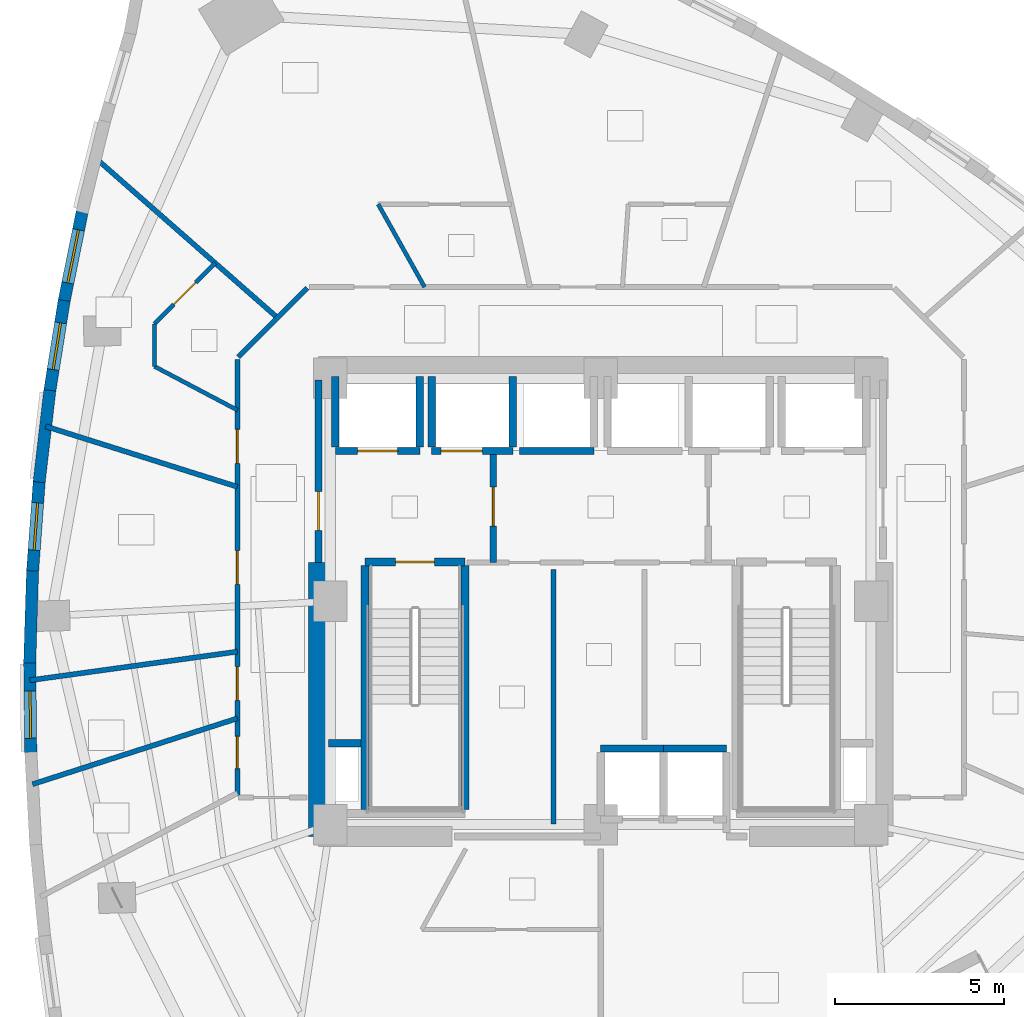
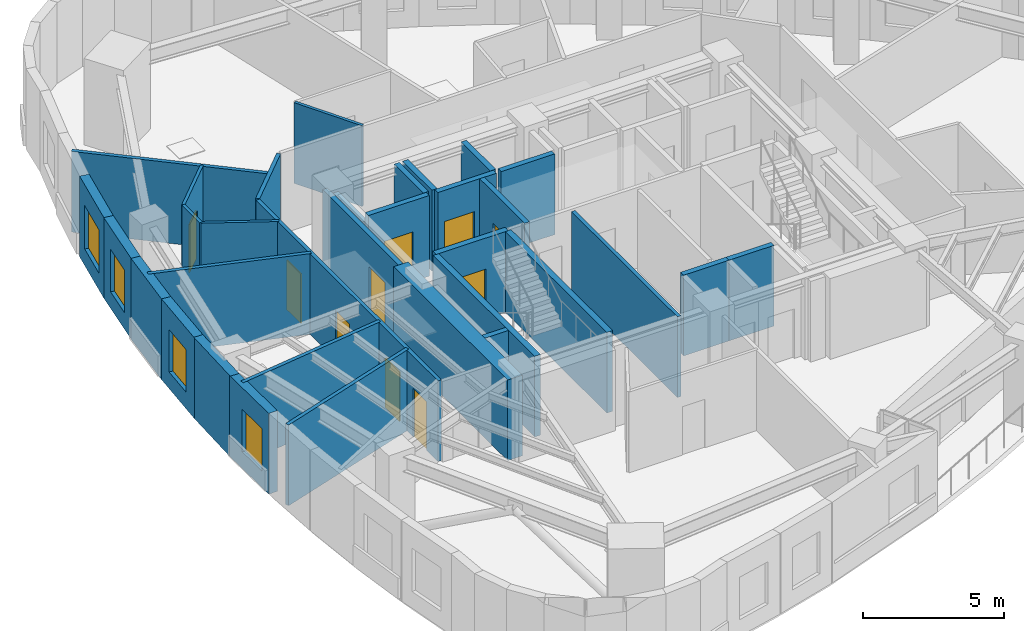
# One storey, part 6 of 12: 33 walls, 10 doors, 4 windows, 14 openings.
"""IFC4 building model written with IfcOpenShell, lengths in metres."""

from ifc_helpers import new_model, si_unit, direction, frame, frame_2d, origin, place, context, subcontext, project, spatial, rectangle, extrude, material, layer, layer_set, type_object, element, fill, save


model = new_model("IFC4")

# Units and contexts
model_context = context("Model", 3, precision=1e-05, world=origin(), true_north=direction((0.0, 1.0)))
body_context = subcontext(model_context, "Body", "Model", "MODEL_VIEW")
ifc_project = project(units=[si_unit("LENGTHUNIT", "METRE"), si_unit("AREAUNIT", "SQUARE_METRE"), si_unit("VOLUMEUNIT", "CUBIC_METRE"), si_unit("PLANEANGLEUNIT", "RADIAN"), si_unit("MASSUNIT", "GRAM", prefix="KILO")], contexts=[model_context])

# Site, building, storey
site_placement = place(None, origin())
site = spatial("IfcSite", under=ifc_project, at=site_placement, CompositionType="ELEMENT")
building_placement = place(site_placement, origin())
building = spatial("IfcBuilding", under=site, at=building_placement, Name="Ndelora Gate Hotel", CompositionType="ELEMENT")
storey_placement = place(building_placement, frame((0.0, 0.0, 112.25)))
storey = spatial("IfcBuildingStorey", under=building, at=storey_placement, Name="L27", CompositionType="ELEMENT", Elevation=112.25)

# Wall, opening, window
ifc_material_1 = material(Name="Clay Brick Masonry", Category="masonry")
ifc_layer_1 = layer(ifc_material_1, 0.360107421875)
ifc_layer_set_1 = layer_set([ifc_layer_1], Name="Clay Brick Masonry")
wall_type_1 = type_object("IfcWallType", Name="WL-BRICK-360", PredefinedType="SOLIDWALL", material=ifc_layer_set_1)
wall_1_placement = place(storey_placement, frame((-15.879638671875, 8.855224609375, 0.0), z_axis=(0.0, 0.0, 1.0), x_axis=(0.198770408376, 0.980046082975, 0.0)))
wall_1 = element("IfcWall", 1, at=wall_1_placement, inside=storey, type_object=wall_type_1, Name="L27 Tower Brick Pier-and-Spandrel Wall TWR-11", PredefinedType="SOLIDWALL", context=body_context, shape_type="SweptSolid", body=[
    extrude(rectangle(XDim=2.758544921875, YDim=0.360107421875, at=frame_2d((1.37939453125, 0.0))), origin(), (0.0, 0.0, 1.0), 3.5),
])
opening_1_placement = place(wall_1_placement, frame((0.579345703125, 0.0, 0.719970703125)))
opening_1 = element("IfcOpeningElement", 2, at=opening_1_placement, cuts=wall_1, Name="Opening W01", PredefinedType="OPENING", context=body_context, shape_type="SweptSolid", body=[
    extrude(rectangle(XDim=1.60009765625, YDim=1.8798828125, at=frame_2d((0.800048828125, 0.93994140625))), frame((0.0, 0.18994140625, 0.0), z_axis=(0.0, -1.0, 0.0), x_axis=(1.0, 0.0, 0.0)), (0.0, 0.0, 1.0), 0.380126953125),
])
ifc_material_2 = material(Name="Insulated Low-E Double Glazing in Bronze Aluminium Frame", Category="aluminium")
window_type_1 = type_object("IfcWindowType", Name="WN-DEEP-1600", PartitioningType="SINGLE_PANEL", PredefinedType="WINDOW", material=ifc_material_2)
window_1_placement = place(opening_1_placement, origin())
window_1 = element("IfcWindow", 3, at=window_1_placement, inside=storey, type_object=window_type_1, Name="L27 Deep-Set Brick-Pier Window W01", OverallHeight=1.8798828125, OverallWidth=1.60009765625, PartitioningType="SINGLE_PANEL", PredefinedType="WINDOW", context=body_context, shape_type="SweptSolid", body=[
    extrude(rectangle(XDim=1.60009765625, YDim=1.8798828125, at=frame_2d((0.800048828125, 0.93994140625))), frame((0.0, 0.030029296875, 0.0), z_axis=(0.0, -1.0, 0.0), x_axis=(1.0, 0.0, 0.0)), (0.0, 0.0, 1.0), 0.06005859375),
])
fill(opening_1, window_1)

wall_2_placement = place(storey_placement, frame((-16.302978515625, 6.19482421875, 0.0), z_axis=(0.0, 0.0, 1.0), x_axis=(0.157483842532, 0.987521563988, 0.0)))
wall_2 = element("IfcWall", 4, at=wall_2_placement, inside=storey, type_object=wall_type_1, Name="L27 Tower Brick Pier-and-Spandrel Wall TWR-12", PredefinedType="SOLIDWALL", context=body_context, shape_type="SweptSolid", body=[
    extrude(rectangle(XDim=2.743896484375, YDim=0.360107421875, at=frame_2d((1.3720703125, 0.0))), origin(), (0.0, 0.0, 1.0), 3.5),
])
opening_2_placement = place(wall_2_placement, frame((0.672119140625, 0.0, 0.719970703125)))
opening_2 = element("IfcOpeningElement", 5, at=opening_2_placement, cuts=wall_2, Name="Opening W02", PredefinedType="OPENING", context=body_context, shape_type="SweptSolid", body=[
    extrude(rectangle(XDim=1.39990234375, YDim=1.840087890625, at=frame_2d((0.699951171875, 0.919921875))), frame((0.0, 0.18994140625, 0.0), z_axis=(0.0, -1.0, 0.0), x_axis=(1.0, 0.0, 0.0)), (0.0, 0.0, 1.0), 0.380126953125),
])
window_type_2 = type_object("IfcWindowType", Name="WN-DEEP-1400", PartitioningType="SINGLE_PANEL", PredefinedType="WINDOW", material=ifc_material_2)
window_2_placement = place(opening_2_placement, origin())
window_2 = element("IfcWindow", 6, at=window_2_placement, inside=storey, type_object=window_type_2, Name="L27 Deep-Set Brick-Pier Window W02", OverallHeight=1.840087890625, OverallWidth=1.39990234375, PartitioningType="SINGLE_PANEL", PredefinedType="WINDOW", context=body_context, shape_type="SweptSolid", body=[
    extrude(rectangle(XDim=1.39990234375, YDim=1.840087890625, at=frame_2d((0.699951171875, 0.919921875))), frame((0.0, 0.030029296875, 0.0), z_axis=(0.0, -1.0, 0.0), x_axis=(1.0, 0.0, 0.0)), (0.0, 0.0, 1.0), 0.06005859375),
])
fill(opening_2, window_2)

# Wall
wall_3_placement = place(storey_placement, frame((-16.61279296875, 3.5283203125, 0.0), z_axis=(0.0, 0.0, 1.0), x_axis=(0.115711868465, 0.993282821505, 0.0)))
element("IfcWall", 7, at=wall_3_placement, inside=storey, type_object=wall_type_1, Name="L27 Tower Brick Pier-and-Spandrel Wall TWR-13", PredefinedType="SOLIDWALL", context=body_context, shape_type="SweptSolid", body=[
    extrude(rectangle(XDim=2.734375, YDim=0.360107421875, at=frame_2d((1.3671875, 0.0))), origin(), (0.0, 0.0, 1.0), 3.5),
])

# Wall, opening, window
wall_4_placement = place(storey_placement, frame((-16.808837890625, 0.85595703125, 0.0), z_axis=(0.0, 0.0, 1.0), x_axis=(0.07352900805, 0.997293078776, 0.0)))
wall_4 = element("IfcWall", 8, at=wall_4_placement, inside=storey, type_object=wall_type_1, Name="L27 Tower Brick Pier-and-Spandrel Wall TWR-14", PredefinedType="SOLIDWALL", context=body_context, shape_type="SweptSolid", body=[
    extrude(rectangle(XDim=2.729248046875, YDim=0.360107421875, at=frame_2d((1.36474609375, 0.0))), origin(), (0.0, 0.0, 1.0), 3.5),
])
opening_3_placement = place(wall_4_placement, frame((0.664794921875, 0.0, 0.719970703125)))
opening_3 = element("IfcOpeningElement", 9, at=opening_3_placement, cuts=wall_4, Name="Opening W02", PredefinedType="OPENING", context=body_context, shape_type="SweptSolid", body=[
    extrude(rectangle(XDim=1.39990234375, YDim=1.840087890625, at=frame_2d((0.699951171875, 0.919921875))), frame((0.0, 0.18994140625, 0.0), z_axis=(0.0, -1.0, 0.0), x_axis=(1.0, 0.0, 0.0)), (0.0, 0.0, 1.0), 0.380126953125),
])
window_3_placement = place(opening_3_placement, origin())
window_3 = element("IfcWindow", 10, at=window_3_placement, inside=storey, type_object=window_type_2, Name="L27 Deep-Set Brick-Pier Window W02", OverallHeight=1.840087890625, OverallWidth=1.39990234375, PartitioningType="SINGLE_PANEL", PredefinedType="WINDOW", context=body_context, shape_type="SweptSolid", body=[
    extrude(rectangle(XDim=1.39990234375, YDim=1.840087890625, at=frame_2d((0.699951171875, 0.919921875))), frame((0.0, 0.030029296875, 0.0), z_axis=(0.0, -1.0, 0.0), x_axis=(1.0, 0.0, 0.0)), (0.0, 0.0, 1.0), 0.06005859375),
])
fill(opening_3, window_3)

# Wall
wall_5_placement = place(storey_placement, frame((-16.89111328125, -1.822509765625, 0.0), z_axis=(0.0, 0.0, 1.0), x_axis=(0.031036495161, 0.999518251943, 0.0)))
element("IfcWall", 11, at=wall_5_placement, inside=storey, type_object=wall_type_1, Name="L27 Tower Brick Pier-and-Spandrel Wall TWR-15", PredefinedType="SOLIDWALL", context=body_context, shape_type="SweptSolid", body=[
    extrude(rectangle(XDim=2.7294921875, YDim=0.360107421875, at=frame_2d((1.36474609375, 0.0))), origin(), (0.0, 0.0, 1.0), 3.5),
])

# Wall, opening, window
wall_6_placement = place(storey_placement, frame((-16.859619140625, -4.506591796875, 0.0), z_axis=(0.0, 0.0, 1.0), x_axis=(-0.011339569117, 0.999935705019, 0.0)))
wall_6 = element("IfcWall", 12, at=wall_6_placement, inside=storey, type_object=wall_type_1, Name="L27 Tower Brick Pier-and-Spandrel Wall TWR-16", PredefinedType="SOLIDWALL", context=body_context, shape_type="SweptSolid", body=[
    extrude(rectangle(XDim=2.734375, YDim=0.360107421875, at=frame_2d((1.3671875, 0.0))), origin(), (0.0, 0.0, 1.0), 3.5),
])
opening_4_placement = place(wall_6_placement, frame((0.4599609375, 0.0, 0.719970703125)))
opening_4 = element("IfcOpeningElement", 13, at=opening_4_placement, cuts=wall_6, Name="Opening W02", PredefinedType="OPENING", context=body_context, shape_type="SweptSolid", body=[
    extrude(rectangle(XDim=1.39990234375, YDim=1.840087890625, at=frame_2d((0.699951171875, 0.919921875))), frame((0.0, 0.18994140625, 0.0), z_axis=(0.0, -1.0, 0.0), x_axis=(1.0, 0.0, 0.0)), (0.0, 0.0, 1.0), 0.380126953125),
])
window_4_placement = place(opening_4_placement, origin())
window_4 = element("IfcWindow", 14, at=window_4_placement, inside=storey, type_object=window_type_2, Name="L27 Deep-Set Brick-Pier Window W02", OverallHeight=1.840087890625, OverallWidth=1.39990234375, PartitioningType="SINGLE_PANEL", PredefinedType="WINDOW", context=body_context, shape_type="SweptSolid", body=[
    extrude(rectangle(XDim=1.39990234375, YDim=1.840087890625, at=frame_2d((0.699951171875, 0.919921875))), frame((0.0, 0.030029296875, 0.0), z_axis=(0.0, -1.0, 0.0), x_axis=(1.0, 0.0, 0.0)), (0.0, 0.0, 1.0), 0.06005859375),
])
fill(opening_4, window_4)

# Wall
ifc_material_3 = material(Name="Concrete C60/75", Category="concrete")
ifc_layer_2 = layer(ifc_material_3, 0.60009765625)
ifc_layer_set_2 = layer_set([ifc_layer_2], Name="Concrete C60/75")
wall_type_2 = type_object("IfcWallType", Name="WL-CORE-600", PredefinedType="SHEAR", material=ifc_layer_set_2)
wall_7_placement = place(storey_placement, frame((-8.35009765625, -6.949951171875, 0.0), z_axis=(0.0, 0.0, 1.0), x_axis=(0.0, 1.0, 0.0)))
element("IfcWall", 15, at=wall_7_placement, inside=storey, type_object=wall_type_2, Name="L27 Core Shear Wall W", PredefinedType="SHEAR", context=body_context, shape_type="SweptSolid", body=[
    extrude(rectangle(XDim=8.099853515625, YDim=0.60009765625, at=frame_2d((4.0498046875, 0.0))), origin(), (0.0, 0.0, 1.0), 3.5),
])

# Wall, opening, door
ifc_material_4 = material(Name="Concrete C40/50", Category="concrete")
ifc_layer_3 = layer(ifc_material_4, 0.199951171875)
ifc_layer_set_3 = layer_set([ifc_layer_3], Name="Concrete C40/50")
wall_type_3 = type_object("IfcWallType", Name="WL-FIRE-200", PredefinedType="PARTITIONING", material=ifc_layer_set_3)
wall_8_placement = place(storey_placement, frame((-3.179931640625, 1.14990234375, 0.0), z_axis=(0.0, 0.0, 1.0), x_axis=(0.0, 1.0, 0.0)))
wall_8 = element("IfcWall", 16, at=wall_8_placement, inside=storey, type_object=wall_type_3, Name="L27 Interior Wall IW-2", PredefinedType="PARTITIONING", context=body_context, shape_type="SweptSolid", body=[
    extrude(rectangle(XDim=3.300048828125, YDim=0.199951171875, at=frame_2d((1.64990234375, 0.0))), origin(), (0.0, 0.0, 1.0), 3.5),
])
opening_5_placement = place(wall_8_placement, frame((1.080078125, 0.0, 0.0)))
opening_5 = element("IfcOpeningElement", 17, at=opening_5_placement, cuts=wall_8, Name="Opening FD1", PredefinedType="OPENING", context=body_context, shape_type="SweptSolid", body=[
    extrude(rectangle(XDim=1.14990234375, YDim=2.14990234375, at=frame_2d((0.574951171875, 1.074951171875))), frame((0.0, 0.10986328125, 0.0), z_axis=(0.0, -1.0, 0.0), x_axis=(1.0, 0.0, 0.0)), (0.0, 0.0, 1.0), 0.219970703125),
])
ifc_material_5 = material(Name="Fire-Rated Timber-Veneer Steel Core", Category="steel")
door_type_1 = type_object("IfcDoorType", Name="DR-FD60", OperationType="SINGLE_SWING_LEFT", PredefinedType="DOOR", material=ifc_material_5)
door_1_placement = place(opening_5_placement, origin())
door_1 = element("IfcDoor", 18, at=door_1_placement, inside=storey, type_object=door_type_1, Name="L27 Firefighting Lobby West Door", OperationType="SINGLE_SWING_RIGHT", OverallHeight=2.14990234375, OverallWidth=1.14990234375, PredefinedType="DOOR", context=body_context, shape_type="SweptSolid", body=[
    extrude(rectangle(XDim=1.14990234375, YDim=2.14990234375, at=frame_2d((0.574951171875, 1.074951171875))), frame((0.0, 0.02490234375, 0.0), z_axis=(0.0, -1.0, 0.0), x_axis=(1.0, 0.0, 0.0)), (0.0, 0.0, 1.0), 0.050048828125),
])
fill(opening_5, door_1)

wall_9_placement = place(storey_placement, frame((-8.35009765625, 1.14990234375, 0.0), z_axis=(0.0, 0.0, 1.0), x_axis=(0.0, 1.0, 0.0)))
wall_9 = element("IfcWall", 19, at=wall_9_placement, inside=storey, type_object=wall_type_3, Name="L27 Interior Wall IW-2", PredefinedType="PARTITIONING", context=body_context, shape_type="SweptSolid", body=[
    extrude(rectangle(XDim=5.400146484375, YDim=0.199951171875, at=frame_2d((2.7001953125, 0.0))), origin(), (0.0, 0.0, 1.0), 3.5),
])
opening_6_placement = place(wall_9_placement, frame((0.949951171875, 0.0, 0.0)))
opening_6 = element("IfcOpeningElement", 20, at=opening_6_placement, cuts=wall_9, Name="Opening FD1", PredefinedType="OPENING", context=body_context, shape_type="SweptSolid", body=[
    extrude(rectangle(XDim=1.14990234375, YDim=2.14990234375, at=frame_2d((0.574951171875, 1.074951171875))), frame((0.0, 0.10986328125, 0.0), z_axis=(0.0, -1.0, 0.0), x_axis=(1.0, 0.0, 0.0)), (0.0, 0.0, 1.0), 0.219970703125),
])
door_2_placement = place(opening_6_placement, origin())
door_2 = element("IfcDoor", 21, at=door_2_placement, inside=storey, type_object=door_type_1, Name="L27 Firefighting Lobby West Corridor Door", OperationType="SINGLE_SWING_LEFT", OverallHeight=2.14990234375, OverallWidth=1.14990234375, PredefinedType="DOOR", context=body_context, shape_type="SweptSolid", body=[
    extrude(rectangle(XDim=1.14990234375, YDim=2.14990234375, at=frame_2d((0.574951171875, 1.074951171875))), frame((0.0, 0.02490234375, 0.0), z_axis=(0.0, -1.0, 0.0), x_axis=(1.0, 0.0, 0.0)), (0.0, 0.0, 1.0), 0.050048828125),
])
fill(opening_6, door_2)

# Walls
ifc_material_6 = material(Name="Fire-Rated Gypsum Stud Partition", Category="gypsum")
ifc_layer_4 = layer(ifc_material_6, 0.14990234375)
ifc_layer_set_4 = layer_set([ifc_layer_4], Name="Fire-Rated Gypsum Stud Partition")
wall_type_4 = type_object("IfcWallType", Name="WL-PART-150", PredefinedType="PARTITIONING", material=ifc_layer_set_4)
wall_10_placement = place(storey_placement, frame((-1.39990234375, -6.580078125, 0.0), z_axis=(0.0, 0.0, 1.0), x_axis=(0.0, 1.0, 0.0)))
element("IfcWall", 22, at=wall_10_placement, inside=storey, type_object=wall_type_4, Name="L27 Interior Wall IW-5", PredefinedType="PARTITIONING", context=body_context, shape_type="SweptSolid", body=[
    extrude(rectangle(XDim=7.530029296875, YDim=0.14990234375, at=frame_2d((3.76513671875, 0.0))), origin(), (0.0, 0.0, 1.0), 3.5),
])
wall_11_placement = place(storey_placement, frame((-10.7216796875, 7.228271484375, 0.0), z_axis=(0.0, 0.0, 1.0), x_axis=(0.707106781187, 0.707106781187, 0.0)))
element("IfcWall", 23, at=wall_11_placement, inside=storey, type_object=wall_type_4, Name="L27 Interior Wall IW-5", PredefinedType="PARTITIONING", context=body_context, shape_type="SweptSolid", body=[
    extrude(rectangle(XDim=2.889892578125, YDim=0.14990234375, at=frame_2d((1.44482421875, 0.0))), origin(), (0.0, 0.0, 1.0), 3.5),
])

# Wall, openings, doors
wall_12_placement = place(storey_placement, frame((-10.75, -5.760009765625, 0.0), z_axis=(0.0, 0.0, 1.0), x_axis=(0.0, 1.0, 0.0)))
wall_12 = element("IfcWall", 24, at=wall_12_placement, inside=storey, type_object=wall_type_4, Name="L27 Interior Wall IW-5", PredefinedType="PARTITIONING", context=body_context, shape_type="SweptSolid", body=[
    extrude(rectangle(XDim=12.919921875, YDim=0.14990234375, at=frame_2d((6.4599609375, 0.0))), origin(), (0.0, 0.0, 1.0), 3.5),
])
opening_7_placement = place(wall_12_placement, frame((2.834716796875, 0.0, 0.0)))
opening_7 = element("IfcOpeningElement", 25, at=opening_7_placement, cuts=wall_12, Name="Opening D01", PredefinedType="OPENING", context=body_context, shape_type="SweptSolid", body=[
    extrude(rectangle(XDim=1.0, YDim=2.14990234375, at=frame_2d((0.5, 1.074951171875))), frame((0.0, 0.0849609375, 0.0), z_axis=(0.0, -1.0, 0.0), x_axis=(1.0, 0.0, 0.0)), (0.0, 0.0, 1.0), 0.169921875),
])
opening_8_placement = place(wall_12_placement, frame((0.81591796875, 0.0, 0.0)))
opening_8 = element("IfcOpeningElement", 26, at=opening_8_placement, cuts=wall_12, Name="Opening D05", PredefinedType="OPENING", context=body_context, shape_type="SweptSolid", body=[
    extrude(rectangle(XDim=0.949951171875, YDim=2.10009765625, at=frame_2d((0.47509765625, 1.050048828125))), frame((0.0, 0.0849609375, 0.0), z_axis=(0.0, -1.0, 0.0), x_axis=(1.0, 0.0, 0.0)), (0.0, 0.0, 1.0), 0.169921875),
])
opening_9_placement = place(wall_12_placement, frame((9.8466796875, 0.0, 0.0)))
opening_9 = element("IfcOpeningElement", 27, at=opening_9_placement, cuts=wall_12, Name="Opening D01", PredefinedType="OPENING", context=body_context, shape_type="SweptSolid", body=[
    extrude(rectangle(XDim=1.0, YDim=2.14990234375, at=frame_2d((0.5, 1.074951171875))), frame((0.0, 0.0849609375, 0.0), z_axis=(0.0, -1.0, 0.0), x_axis=(1.0, 0.0, 0.0)), (0.0, 0.0, 1.0), 0.169921875),
])
opening_10_placement = place(wall_12_placement, frame((6.266845703125, 0.0, 0.0)))
opening_10 = element("IfcOpeningElement", 28, at=opening_10_placement, cuts=wall_12, Name="Opening D01", PredefinedType="OPENING", context=body_context, shape_type="SweptSolid", body=[
    extrude(rectangle(XDim=1.0, YDim=2.14990234375, at=frame_2d((0.5, 1.074951171875))), frame((0.0, 0.0849609375, 0.0), z_axis=(0.0, -1.0, 0.0), x_axis=(1.0, 0.0, 0.0)), (0.0, 0.0, 1.0), 0.169921875),
])
ifc_material_7 = material(Name="Accessible Restroom Wide-Clearance Door", Category="wood")
door_type_2 = type_object("IfcDoorType", Name="DR-ACC-950", OperationType="SINGLE_SWING_LEFT", PredefinedType="DOOR", material=ifc_material_7)
door_3_placement = place(opening_8_placement, origin())
door_3 = element("IfcDoor", 29, at=door_3_placement, inside=storey, type_object=door_type_2, Name="L27 Accessible WC Entrance Door", OperationType="SINGLE_SWING_LEFT", OverallHeight=2.10009765625, OverallWidth=0.949951171875, PredefinedType="DOOR", context=body_context, shape_type="SweptSolid", body=[
    extrude(rectangle(XDim=0.949951171875, YDim=2.10009765625, at=frame_2d((0.47509765625, 1.050048828125))), frame((0.0, 0.02490234375, 0.0), z_axis=(0.0, -1.0, 0.0), x_axis=(1.0, 0.0, 0.0)), (0.0, 0.0, 1.0), 0.050048828125),
])
fill(opening_8, door_3)
ifc_material_8 = material(Name="Acoustic Hardwood Guest Entrance Door", Category="wood")
door_type_3 = type_object("IfcDoorType", Name="DR-COR-1000", OperationType="SINGLE_SWING_LEFT", PredefinedType="DOOR", material=ifc_material_8)
door_4_placement = place(opening_7_placement, origin())
door_4 = element("IfcDoor", 30, at=door_4_placement, inside=storey, type_object=door_type_3, Name="L27 Housekeeping and Linen Room Entrance Door", OperationType="SINGLE_SWING_RIGHT", OverallHeight=2.14990234375, OverallWidth=1.0, PredefinedType="DOOR", context=body_context, shape_type="SweptSolid", body=[
    extrude(rectangle(XDim=1.0, YDim=2.14990234375, at=frame_2d((0.5, 1.074951171875))), frame((0.0, 0.02490234375, 0.0), z_axis=(0.0, -1.0, 0.0), x_axis=(1.0, 0.0, 0.0)), (0.0, 0.0, 1.0), 0.050048828125),
])
fill(opening_7, door_4)
door_5_placement = place(opening_9_placement, origin())
door_5 = element("IfcDoor", 31, at=door_5_placement, inside=storey, type_object=door_type_3, Name="L27 Club Twin Guest Room 3005 Entrance Door", OperationType="SINGLE_SWING_RIGHT", OverallHeight=2.14990234375, OverallWidth=1.0, PredefinedType="DOOR", context=body_context, shape_type="SweptSolid", body=[
    extrude(rectangle(XDim=1.0, YDim=2.14990234375, at=frame_2d((0.5, 1.074951171875))), frame((0.0, 0.02490234375, 0.0), z_axis=(0.0, -1.0, 0.0), x_axis=(1.0, 0.0, 0.0)), (0.0, 0.0, 1.0), 0.050048828125),
])
fill(opening_9, door_5)
door_6_placement = place(opening_10_placement, origin())
door_6 = element("IfcDoor", 32, at=door_6_placement, inside=storey, type_object=door_type_3, Name="L27 Club Study Office Entrance Door", OperationType="SINGLE_SWING_LEFT", OverallHeight=2.14990234375, OverallWidth=1.0, PredefinedType="DOOR", context=body_context, shape_type="SweptSolid", body=[
    extrude(rectangle(XDim=1.0, YDim=2.14990234375, at=frame_2d((0.5, 1.074951171875))), frame((0.0, 0.02490234375, 0.0), z_axis=(0.0, -1.0, 0.0), x_axis=(1.0, 0.0, 0.0)), (0.0, 0.0, 1.0), 0.050048828125),
])
fill(opening_10, door_6)

# Walls
wall_13_placement = place(storey_placement, frame((-9.5595703125, 8.390380859375, 0.0), z_axis=(0.0, 0.0, 1.0), x_axis=(-0.751546074468, 0.659680602983, 0.0)))
element("IfcWall", 33, at=wall_13_placement, inside=storey, type_object=wall_type_4, Name="L27 Interior Wall IW-5", PredefinedType="PARTITIONING", context=body_context, shape_type="SweptSolid", body=[
    extrude(rectangle(XDim=7.16748046875, YDim=0.14990234375, at=frame_2d((3.583740234375, 0.0))), origin(), (0.0, 0.0, 1.0), 3.5),
])
wall_14_placement = place(storey_placement, frame((-10.75, 3.39208984375, 0.0), z_axis=(0.0, 0.0, 1.0), x_axis=(-0.953655865199, 0.300899469545, 0.0)))
element("IfcWall", 34, at=wall_14_placement, inside=storey, type_object=wall_type_4, Name="L27 Interior Wall IW-5", PredefinedType="PARTITIONING", context=body_context, shape_type="SweptSolid", body=[
    extrude(rectangle(XDim=5.94580078125, YDim=0.14990234375, at=frame_2d((2.972900390625, 0.0))), origin(), (0.0, 0.0, 1.0), 3.5),
])
wall_15_placement = place(storey_placement, frame((-10.75, -1.484619140625, 0.0), z_axis=(0.0, 0.0, 1.0), x_axis=(-0.990603271239, -0.136766805219, 0.0)))
element("IfcWall", 35, at=wall_15_placement, inside=storey, type_object=wall_type_4, Name="L27 Interior Wall IW-5", PredefinedType="PARTITIONING", context=body_context, shape_type="SweptSolid", body=[
    extrude(rectangle(XDim=6.1923828125, YDim=0.14990234375, at=frame_2d((3.09619140625, 0.0))), origin(), (0.0, 0.0, 1.0), 3.5),
])
wall_16_placement = place(storey_placement, frame((-10.75, -3.4580078125, 0.0), z_axis=(0.0, 0.0, 1.0), x_axis=(-0.951970686229, -0.306189177732, 0.0)))
element("IfcWall", 36, at=wall_16_placement, inside=storey, type_object=wall_type_4, Name="L27 Interior Wall IW-5", PredefinedType="PARTITIONING", context=body_context, shape_type="SweptSolid", body=[
    extrude(rectangle(XDim=6.365966796875, YDim=0.14990234375, at=frame_2d((3.18310546875, 0.0))), origin(), (0.0, 0.0, 1.0), 3.5),
])
ifc_layer_5 = layer(ifc_material_4, 0.219970703125)
ifc_layer_set_5 = layer_set([ifc_layer_5], Name="Concrete C40/50")
wall_type_5 = type_object("IfcWallType", Name="WL-SHAFT-220", PredefinedType="PARTITIONING", material=ifc_layer_set_5)
wall_17_placement = place(storey_placement, frame((-8.050048828125, -4.199951171875, 0.0), z_axis=(0.0, 0.0, 1.0), x_axis=(1.0, 0.0, 0.0)))
element("IfcWall", 37, at=wall_17_placement, inside=storey, type_object=wall_type_5, Name="L27 Interior Wall IW-1", PredefinedType="PARTITIONING", context=body_context, shape_type="SweptSolid", body=[
    extrude(rectangle(XDim=0.9599609375, YDim=0.219970703125, at=frame_2d((0.47998046875, 0.0))), origin(), (0.0, 0.0, 1.0), 3.5),
])

# Wall, opening, door
wall_18_placement = place(storey_placement, frame((-7.85009765625, 4.449951171875, 0.0), z_axis=(0.0, 0.0, 1.0), x_axis=(1.0, 0.0, 0.0)))
wall_18 = element("IfcWall", 38, at=wall_18_placement, inside=storey, type_object=wall_type_5, Name="L27 Interior Wall IW-1", PredefinedType="PARTITIONING", context=body_context, shape_type="SweptSolid", body=[
    extrude(rectangle(XDim=2.5, YDim=0.219970703125, at=frame_2d((1.25, 0.0))), origin(), (0.0, 0.0, 1.0), 3.5),
])
opening_11_placement = place(wall_18_placement, frame((0.659912109375, 0.0, 0.0)))
opening_11 = element("IfcOpeningElement", 39, at=opening_11_placement, cuts=wall_18, Name="Opening LD5", PredefinedType="OPENING", context=body_context, shape_type="SweptSolid", body=[
    extrude(rectangle(XDim=1.179931640625, YDim=2.14990234375, at=frame_2d((0.58984375, 1.074951171875))), frame((0.0, 0.1201171875, 0.0), z_axis=(0.0, -1.0, 0.0), x_axis=(1.0, 0.0, 0.0)), (0.0, 0.0, 1.0), 0.239990234375),
])
ifc_material_9 = material(Name="Firefighting Lift Stainless Sliding Landing Door", Category="metal")
door_type_4 = type_object("IfcDoorType", Name="DR-LD5", OperationType="DOUBLE_DOOR_SLIDING", PredefinedType="DOOR", material=ifc_material_9)
door_7_placement = place(opening_11_placement, origin())
door_7 = element("IfcDoor", 40, at=door_7_placement, inside=storey, type_object=door_type_4, Name="L27 Lift Landing Sliding Door FFL1", OperationType="DOUBLE_DOOR_SLIDING", OverallHeight=2.14990234375, OverallWidth=1.179931640625, PredefinedType="DOOR", context=body_context, shape_type="SweptSolid", body=[
    extrude(rectangle(XDim=1.179931640625, YDim=2.14990234375, at=frame_2d((0.58984375, 1.074951171875))), frame((0.0, 0.02490234375, 0.0), z_axis=(0.0, -1.0, 0.0), x_axis=(1.0, 0.0, 0.0)), (0.0, 0.0, 1.0), 0.050048828125),
])
fill(opening_11, door_7)

# Walls
wall_19_placement = place(storey_placement, frame((-7.85009765625, 4.570068359375, 0.0), z_axis=(0.0, 0.0, 1.0), x_axis=(0.0, 1.0, 0.0)))
element("IfcWall", 41, at=wall_19_placement, inside=storey, type_object=wall_type_5, Name="L27 Interior Wall IW-1", PredefinedType="PARTITIONING", context=body_context, shape_type="SweptSolid", body=[
    extrude(rectangle(XDim=2.079833984375, YDim=0.219970703125, at=frame_2d((1.0400390625, 0.0))), origin(), (0.0, 0.0, 1.0), 3.1201171875),
])
wall_20_placement = place(storey_placement, frame((-5.35009765625, 4.570068359375, 0.0), z_axis=(0.0, 0.0, 1.0), x_axis=(0.0, 1.0, 0.0)))
element("IfcWall", 42, at=wall_20_placement, inside=storey, type_object=wall_type_5, Name="L27 Interior Wall IW-1", PredefinedType="PARTITIONING", context=body_context, shape_type="SweptSolid", body=[
    extrude(rectangle(XDim=2.079833984375, YDim=0.219970703125, at=frame_2d((1.0400390625, 0.0))), origin(), (0.0, 0.0, 1.0), 3.5),
])

# Wall, opening, door
wall_21_placement = place(storey_placement, frame((-5.0, 4.449951171875, 0.0), z_axis=(0.0, 0.0, 1.0), x_axis=(1.0, 0.0, 0.0)))
wall_21 = element("IfcWall", 43, at=wall_21_placement, inside=storey, type_object=wall_type_5, Name="L27 Interior Wall IW-1", PredefinedType="PARTITIONING", context=body_context, shape_type="SweptSolid", body=[
    extrude(rectangle(XDim=2.39990234375, YDim=0.219970703125, at=frame_2d((1.199951171875, 0.0))), origin(), (0.0, 0.0, 1.0), 3.5),
])
opening_12_placement = place(wall_21_placement, frame((0.280029296875, 0.0, 0.0)))
opening_12 = element("IfcOpeningElement", 44, at=opening_12_placement, cuts=wall_21, Name="Opening LD6", PredefinedType="OPENING", context=body_context, shape_type="SweptSolid", body=[
    extrude(rectangle(XDim=1.219970703125, YDim=2.14990234375, at=frame_2d((0.60986328125, 1.074951171875))), frame((0.0, 0.1201171875, 0.0), z_axis=(0.0, -1.0, 0.0), x_axis=(1.0, 0.0, 0.0)), (0.0, 0.0, 1.0), 0.239990234375),
])
ifc_material_10 = material(Name="Heavy-Duty Service Lift Sliding Landing Door", Category="wood")
door_type_5 = type_object("IfcDoorType", Name="DR-LD6", OperationType="DOUBLE_DOOR_SLIDING", PredefinedType="DOOR", material=ifc_material_10)
door_8_placement = place(opening_12_placement, origin())
door_8 = element("IfcDoor", 45, at=door_8_placement, inside=storey, type_object=door_type_5, Name="L27 Lift Landing Sliding Door SVL1", OperationType="DOUBLE_DOOR_SLIDING", OverallHeight=2.14990234375, OverallWidth=1.219970703125, PredefinedType="DOOR", context=body_context, shape_type="SweptSolid", body=[
    extrude(rectangle(XDim=1.219970703125, YDim=2.14990234375, at=frame_2d((0.60986328125, 1.074951171875))), frame((0.0, 0.02490234375, 0.0), z_axis=(0.0, -1.0, 0.0), x_axis=(1.0, 0.0, 0.0)), (0.0, 0.0, 1.0), 0.050048828125),
])
fill(opening_12, door_8)

# Walls
for number, where, z_axis, x_axis, name in (
    (46, (-5.0, 4.570068359375, 0.0), (0.0, 0.0, 1.0), (0.0, 1.0, 0.0), "L27 Interior Wall IW-1"),
    (47, (-2.60009765625, 4.570068359375, 0.0), (0.0, 0.0, 1.0), (0.0, 1.0, 0.0), "L27 Interior Wall IW-1"),
):
    element("IfcWall", number, at=place(storey_placement, frame(where, z_axis=z_axis, x_axis=x_axis)), inside=storey, type_object=wall_type_5, Name=name, PredefinedType="PARTITIONING", context=body_context, shape_type="SweptSolid", body=[
        extrude(rectangle(XDim=2.079833984375, YDim=0.219970703125, at=frame_2d((1.0400390625, 0.0))), origin(), (0.0, 0.0, 1.0), 3.5),
    ])
wall_22_placement = place(storey_placement, frame((0.0, -4.35009765625, 0.0), z_axis=(0.0, 0.0, 1.0), x_axis=(1.0, 0.0, 0.0)))
element("IfcWall", 48, at=wall_22_placement, inside=storey, type_object=wall_type_5, Name="L27 Interior Wall IW-1", PredefinedType="PARTITIONING", context=body_context, shape_type="SweptSolid", body=[
    extrude(rectangle(XDim=1.860107421875, YDim=0.219970703125, at=frame_2d((0.93017578125, 0.0))), origin(), (0.0, 0.0, 1.0), 3.5),
])
wall_23_placement = place(storey_placement, frame((1.860107421875, -4.35009765625, 0.0), z_axis=(0.0, 0.0, 1.0), x_axis=(1.0, 0.0, 0.0)))
element("IfcWall", 49, at=wall_23_placement, inside=storey, type_object=wall_type_5, Name="L27 Interior Wall IW-1", PredefinedType="PARTITIONING", context=body_context, shape_type="SweptSolid", body=[
    extrude(rectangle(XDim=1.85986328125, YDim=0.219970703125, at=frame_2d((0.929931640625, 0.0))), origin(), (0.0, 0.0, 1.0), 3.5),
])
wall_24_placement = place(storey_placement, frame((-2.39990234375, 4.449951171875, 0.0), z_axis=(0.0, 0.0, 1.0), x_axis=(1.0, 0.0, 0.0)))
element("IfcWall", 50, at=wall_24_placement, inside=storey, type_object=wall_type_5, Name="L27 Interior Wall IW-1", PredefinedType="PARTITIONING", context=body_context, shape_type="SweptSolid", body=[
    extrude(rectangle(XDim=2.199951171875, YDim=0.219970703125, at=frame_2d((1.10009765625, 0.0))), origin(), (0.0, 0.0, 1.0), 3.5),
])
ifc_material_11 = material(Name="Concrete C50/60", Category="concrete")
ifc_layer_6 = layer(ifc_material_11, 0.239990234375)
ifc_layer_set_6 = layer_set([ifc_layer_6], Name="Concrete C50/60")
wall_type_6 = type_object("IfcWallType", Name="WL-STAIR-240", PredefinedType="SHEAR", material=ifc_layer_set_6)
for number, where, z_axis, x_axis, name in (
    (51, (-6.969970703125, -6.159912109375, 0.0), (0.0, 0.0, 1.0), (0.0, 1.0, 0.0), "L27 Stair Core Shear Wall SW-ST"),
    (52, (-4.010009765625, -6.159912109375, 0.0), (0.0, 0.0, 1.0), (0.0, 1.0, 0.0), "L27 Stair Core Shear Wall SW-ST"),
):
    element("IfcWall", number, at=place(storey_placement, frame(where, z_axis=z_axis, x_axis=x_axis)), inside=storey, type_object=wall_type_6, Name=name, PredefinedType="SHEAR", context=body_context, shape_type="SweptSolid", body=[
        extrude(rectangle(XDim=7.219970703125, YDim=0.239990234375, at=frame_2d((3.60986328125, 0.0))), origin(), (0.0, 0.0, 1.0), 3.5),
    ])

# Wall, opening, door
wall_25_placement = place(storey_placement, frame((-6.969970703125, 1.169921875, 0.0), z_axis=(0.0, 0.0, 1.0), x_axis=(1.0, 0.0, 0.0)))
wall_25 = element("IfcWall", 53, at=wall_25_placement, inside=storey, type_object=wall_type_6, Name="L27 Stair Core Shear Wall SW-ST", PredefinedType="SHEAR", context=body_context, shape_type="SweptSolid", body=[
    extrude(rectangle(XDim=2.9599609375, YDim=0.239990234375, at=frame_2d((1.47998046875, 0.0))), origin(), (0.0, 0.0, 1.0), 3.5),
])
opening_13_placement = place(wall_25_placement, frame((0.89990234375, 0.0, 0.0)))
opening_13 = element("IfcOpeningElement", 54, at=opening_13_placement, cuts=wall_25, Name="Opening FD1", PredefinedType="OPENING", context=body_context, shape_type="SweptSolid", body=[
    extrude(rectangle(XDim=1.14990234375, YDim=2.14990234375, at=frame_2d((0.574951171875, 1.074951171875))), frame((0.0, 0.1298828125, 0.0), z_axis=(0.0, -1.0, 0.0), x_axis=(1.0, 0.0, 0.0)), (0.0, 0.0, 1.0), 0.260009765625),
])
door_9_placement = place(opening_13_placement, origin())
door_9 = element("IfcDoor", 55, at=door_9_placement, inside=storey, type_object=door_type_1, Name="L27 Exit Stair ST4 Door", OperationType="SINGLE_SWING_LEFT", OverallHeight=2.14990234375, OverallWidth=1.14990234375, PredefinedType="DOOR", context=body_context, shape_type="SweptSolid", body=[
    extrude(rectangle(XDim=1.14990234375, YDim=2.14990234375, at=frame_2d((0.574951171875, 1.074951171875))), frame((0.0, 0.02490234375, 0.0), z_axis=(0.0, -1.0, 0.0), x_axis=(1.0, 0.0, 0.0)), (0.0, 0.0, 1.0), 0.050048828125),
])
fill(opening_13, door_9)

# Walls
ifc_material_12 = material(Name="Moisture-Resistant Bathroom Tile Partition", Category="gypsum")
ifc_layer_7 = layer(ifc_material_12, 0.1201171875)
ifc_layer_set_7 = layer_set([ifc_layer_7], Name="Moisture-Resistant Bathroom Tile Partition")
wall_type_7 = type_object("IfcWallType", Name="WL-WET-120", PredefinedType="PARTITIONING", material=ifc_layer_set_7)
wall_26_placement = place(storey_placement, frame((-5.210205078125, 9.300048828125, 0.0), z_axis=(0.0, 0.0, 1.0), x_axis=(-0.488696025712, 0.87245412169, 0.0)))
element("IfcWall", 56, at=wall_26_placement, inside=storey, type_object=wall_type_7, Name="L27 Interior Wall IW-7", PredefinedType="PARTITIONING", context=body_context, shape_type="SweptSolid", body=[
    extrude(rectangle(XDim=2.80810546875, YDim=0.1201171875, at=frame_2d((1.404052734375, 0.0))), origin(), (0.0, 0.0, 1.0), 3.5),
])
wall_27_placement = place(storey_placement, frame((-13.199951171875, 6.951904296875, 0.0), z_axis=(0.0, 0.0, 1.0), x_axis=(0.884793871957, -0.465982622152, 0.0)))
element("IfcWall", 57, at=wall_27_placement, inside=storey, type_object=wall_type_7, Name="L27 Interior Wall IW-7", PredefinedType="PARTITIONING", context=body_context, shape_type="SweptSolid", body=[
    extrude(rectangle(XDim=2.76904296875, YDim=0.1201171875, at=frame_2d((1.384521484375, 0.0))), origin(), (0.0, 0.0, 1.0), 3.5),
])
wall_28_placement = place(storey_placement, frame((-13.199951171875, 6.951904296875, 0.0), z_axis=(0.0, 0.0, 1.0), x_axis=(0.0, 1.0, 0.0)))
element("IfcWall", 58, at=wall_28_placement, inside=storey, type_object=wall_type_7, Name="L27 Interior Wall IW-7", PredefinedType="PARTITIONING", context=body_context, shape_type="SweptSolid", body=[
    extrude(rectangle(XDim=1.262939453125, YDim=0.1201171875, at=frame_2d((0.63134765625, 0.0))), origin(), (0.0, 0.0, 1.0), 3.5),
])

# Wall, opening, door
wall_29_placement = place(storey_placement, frame((-13.199951171875, 8.21484375, 0.0), z_axis=(0.0, 0.0, 1.0), x_axis=(0.707106781187, 0.707106781187, 0.0)))
wall_29 = element("IfcWall", 59, at=wall_29_placement, inside=storey, type_object=wall_type_7, Name="L27 Interior Wall IW-7", PredefinedType="PARTITIONING", context=body_context, shape_type="SweptSolid", body=[
    extrude(rectangle(XDim=2.538818359375, YDim=0.1201171875, at=frame_2d((1.26953125, 0.0))), origin(), (0.0, 0.0, 1.0), 3.5),
])
opening_14_placement = place(wall_29_placement, frame((0.8095703125, 0.0, 0.0)))
opening_14 = element("IfcOpeningElement", 60, at=opening_14_placement, cuts=wall_29, Name="Opening D03", PredefinedType="OPENING", context=body_context, shape_type="SweptSolid", body=[
    extrude(rectangle(XDim=0.919921875, YDim=2.10009765625, at=frame_2d((0.4599609375, 1.050048828125))), frame((0.0, 0.070068359375, 0.0), z_axis=(0.0, -1.0, 0.0), x_axis=(1.0, 0.0, 0.0)), (0.0, 0.0, 1.0), 0.14013671875),
])
ifc_material_13 = material(Name="Moisture-Resistant Hardwood En-Suite Door", Category="wood")
door_type_6 = type_object("IfcDoorType", Name="DR-BATH-920", OperationType="SINGLE_SWING_LEFT", PredefinedType="DOOR", material=ifc_material_13)
door_10_placement = place(opening_14_placement, origin())
door_10 = element("IfcDoor", 61, at=door_10_placement, inside=storey, type_object=door_type_6, Name="L27 En-suite Bathroom 3005 Door", OperationType="SINGLE_SWING_RIGHT", OverallHeight=2.10009765625, OverallWidth=0.919921875, PredefinedType="DOOR", context=body_context, shape_type="SweptSolid", body=[
    extrude(rectangle(XDim=0.919921875, YDim=2.10009765625, at=frame_2d((0.4599609375, 1.050048828125))), frame((0.0, 0.02490234375, 0.0), z_axis=(0.0, -1.0, 0.0), x_axis=(1.0, 0.0, 0.0)), (0.0, 0.0, 1.0), 0.050048828125),
])
fill(opening_14, door_10)

save(model, "model.ifc")
